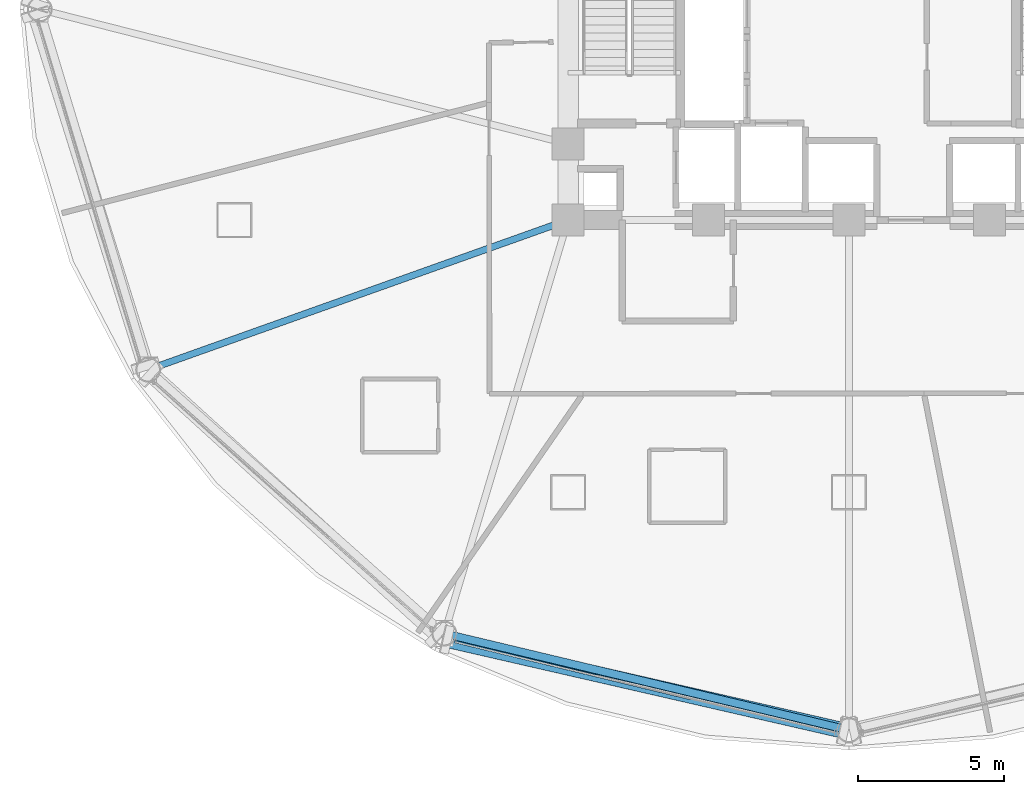
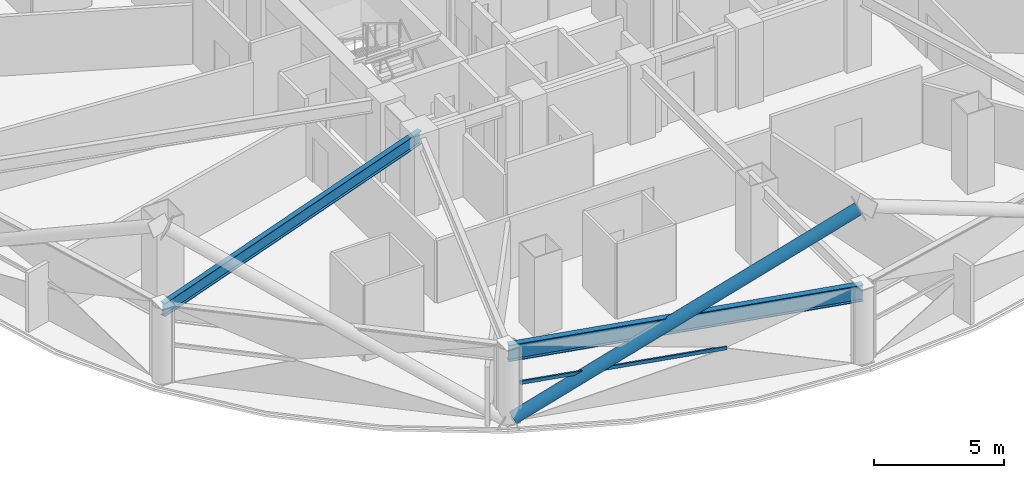
# One storey, part 3 of 33: 2 beams, 2 members, 1 element without a shape of its own.
"""IFC4 building model written with IfcOpenShell, lengths in metres."""

from ifc_helpers import new_model, si_unit, direction, frame, origin, origin_2d, place, context, subcontext, project, spatial, hollow_rectangle, hollow_circle, i_section, extrude, material, layer, layer_set, material_profile, profile_set, type_object, element, aggregate, save


model = new_model("IFC4")

# Units and contexts
model_context = context("Model", 3, precision=1e-05, world=origin(), true_north=direction((0.0, 1.0)))
body_context = subcontext(model_context, "Body", "Model", "MODEL_VIEW")
ifc_project = project(units=[si_unit("LENGTHUNIT", "METRE"), si_unit("AREAUNIT", "SQUARE_METRE"), si_unit("VOLUMEUNIT", "CUBIC_METRE"), si_unit("PLANEANGLEUNIT", "RADIAN"), si_unit("MASSUNIT", "GRAM", prefix="KILO")], contexts=[model_context])

# Site, building, storey
site_placement = place(None, origin())
site = spatial("IfcSite", under=ifc_project, at=site_placement, CompositionType="ELEMENT")
building_placement = place(site_placement, origin())
building = spatial("IfcBuilding", under=site, at=building_placement, Name="Vantalir Tower", CompositionType="ELEMENT")
storey_placement = place(building_placement, frame((0.0, 0.0, 72.0)))
storey = spatial("IfcBuildingStorey", under=building, at=storey_placement, Name="L17", CompositionType="ELEMENT", Elevation=72.0)

# Beams
ifc_material_1 = material(Name="Steel S355", Category="steel")
ifc_material_profile_1 = material_profile(ifc_material_1, i_section(OverallWidth=0.22998046875, OverallDepth=0.616943359375, WebThickness=0.01318359375, FlangeThickness=0.022216796875, at=origin_2d()), Name="Steel S355")
ifc_profile_set_1 = profile_set([ifc_material_profile_1], Name="Steel S355")
beam_type_1 = type_object("IfcBeamType", Name="BM-RB-610x229", PredefinedType="BEAM", material=ifc_profile_set_1)
beam_1_placement = place(storey_placement, frame((7.553955078125, 12.68505859375, 3.261962890625), z_axis=(0.941919846836, 0.335837761629, 0.0), x_axis=(-0.335837761629, 0.941919846836, 0.0)))
element("IfcBeam", 1, at=beam_1_placement, inside=storey, type_object=beam_type_1, Name="L17 Radial Floor Beam 08", PredefinedType="BEAM", context=body_context, shape_type="SweptSolid", body=[
    extrude(i_section(OverallWidth=0.22998046875, OverallDepth=0.616943359375, WebThickness=0.01318359375, FlangeThickness=0.022216796875, at=origin_2d()), origin(), (0.0, 0.0, 1.0), 15.23046875),
])
ifc_material_2 = material(Name="Steel S460", Category="steel")
ifc_material_profile_2 = material_profile(ifc_material_2, i_section(OverallWidth=0.26806640625, OverallDepth=0.77001953125, WebThickness=0.015625, FlangeThickness=0.025390625, at=origin_2d()), Name="Steel S460")
ifc_profile_set_2 = profile_set([ifc_material_profile_2], Name="Steel S460")
beam_type_2 = type_object("IfcBeamType", Name="BM-RG-762x267", PredefinedType="USERDEFINED", material=ifc_profile_set_2)
beam_2_placement = place(storey_placement, frame((17.675048828125, 3.6708984375, 3.18505859375), z_axis=(0.972676867925, -0.232163112064, 0.0), x_axis=(0.232163112064, 0.972676867925, 0.0)))
element("IfcBeam", 2, at=beam_2_placement, inside=storey, type_object=beam_type_2, Name="L17 Circumferential Ring Girder 09", ObjectType="GIRDER", PredefinedType="USERDEFINED", context=body_context, shape_type="SweptSolid", body=[
    extrude(i_section(OverallWidth=0.26806640625, OverallDepth=0.77001953125, WebThickness=0.015625, FlangeThickness=0.025390625, at=origin_2d()), origin(), (0.0, 0.0, 1.0), 14.21337890625),
])

# Curtain wall, member
ifc_material_3 = material(Name="Champagne-silver PVDF aluminium and double-silver Low-E glass", Category="aluminium")
ifc_layer = layer(ifc_material_3, 0.18994140625)
ifc_layer_set = layer_set([ifc_layer], Name="Champagne-silver PVDF aluminium and double-silver Low-E glass")
curtain_wall_type = type_object("IfcCurtainWallType", Name="CW-DIAMOND-Z1", PredefinedType="USERDEFINED", material=ifc_layer_set)
curtain_wall_placement = place(storey_placement, origin())
curtain_wall = element("IfcCurtainWall", 3, at=curtain_wall_placement, inside=storey, type_object=curtain_wall_type, Name="L17 Quilted Pyramid-Diamond Curtain Wall S09", ObjectType="UNITISED CURTAIN WALL", PredefinedType="USERDEFINED")
ifc_material_4 = material(Name="Champagne-silver PVDF aluminium 6063-T6", Category="aluminium")
ifc_material_profile_3 = material_profile(ifc_material_4, hollow_rectangle(XDim=0.074951171875, YDim=0.159912109375, WallThickness=0.00390625, at=origin_2d()), Name="Champagne-silver PVDF aluminium 6063-T6")
ifc_profile_set_3 = profile_set([ifc_material_profile_3], Name="Champagne-silver PVDF aluminium 6063-T6")
member_type_1 = type_object("IfcMemberType", Name="CWT-160x75", PredefinedType="USERDEFINED", material=ifc_profile_set_3)
member_1_placement = place(storey_placement, frame((18.037109375, 3.39697265625, 1.784912109375), z_axis=(0.971945854055, -0.235204712508, 0.0), x_axis=(0.235204712508, 0.971945854055, 0.0)))
member_1 = element("IfcMember", 4, at=member_1_placement, type_object=member_type_1, Name="CW-L17-S09 Pyramid Fold Ridge Transom", ObjectType="TRANSOM", PredefinedType="USERDEFINED", context=body_context, shape_type="SweptSolid", body=[
    extrude(hollow_rectangle(XDim=0.074951171875, YDim=0.159912109375, WallThickness=0.00390625, at=origin_2d()), origin(), (0.0, 0.0, 1.0), 8.29052734375),
])
aggregate(curtain_wall, [member_1])

# Member
ifc_material_profile_4 = material_profile(ifc_material_2, hollow_circle(Radius=0.27001953125, WallThickness=0.044921875, at=origin_2d()), Name="Steel S460")
ifc_profile_set_4 = profile_set([ifc_material_profile_4], Name="Steel S460")
member_type_2 = type_object("IfcMemberType", Name="MEM-DB-540x45", PredefinedType="BRACE", material=ifc_profile_set_4)
member_2_placement = place(storey_placement, frame((17.77197265625, 3.4619140625, 0.178955078125), z_axis=(0.871347449948, -0.19974796351, 0.448167795076), x_axis=(0.223444359714, 0.974716686074, 0.0)))
element("IfcMember", 5, at=member_2_placement, inside=storey, type_object=member_type_2, Name="L17 Perimeter S460 Diagrid Brace R25L", PredefinedType="BRACE", context=body_context, shape_type="SweptSolid", body=[
    extrude(hollow_circle(Radius=0.27001953125, WallThickness=0.044921875, at=origin_2d()), origin(), (0.0, 0.0, 1.0), 15.53466796875),
])

save(model, "model.ifc")
